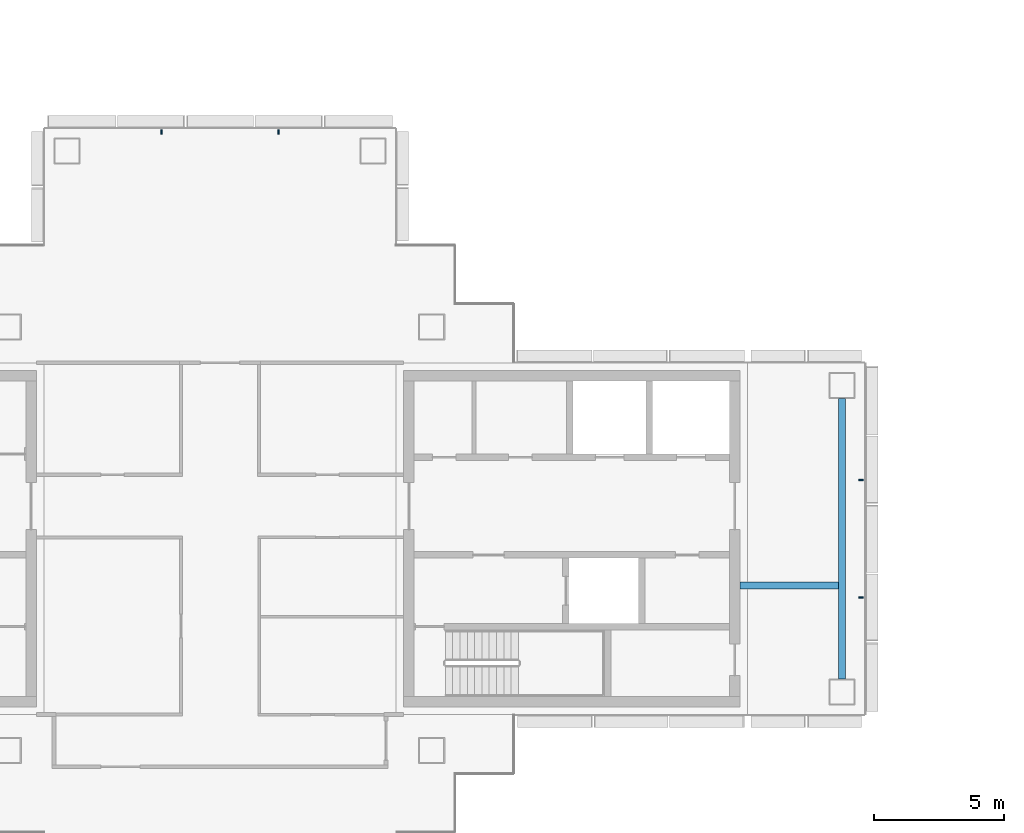
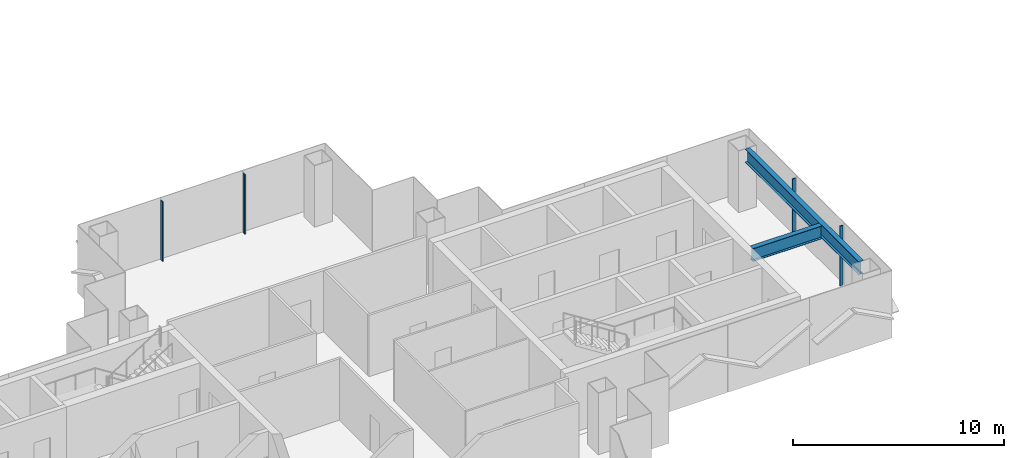
# One storey, part 4 of 17: 4 members, 2 beams, 2 elements without a shape of their own.
"""IFC4 building model written with IfcOpenShell, lengths in metres."""

from ifc_helpers import new_model, si_unit, direction, frame, origin, origin_2d, place, context, subcontext, project, spatial, rectangle, i_section, extrude, material, layer, layer_set, material_profile, profile_set, type_object, element, aggregate, save


model = new_model("IFC4")

# Units and contexts
model_context = context("Model", 3, precision=1e-05, world=origin(), true_north=direction((0.0, 1.0)))
body_context = subcontext(model_context, "Body", "Model", "MODEL_VIEW")
ifc_project = project(units=[si_unit("LENGTHUNIT", "METRE"), si_unit("AREAUNIT", "SQUARE_METRE"), si_unit("VOLUMEUNIT", "CUBIC_METRE"), si_unit("PLANEANGLEUNIT", "RADIAN"), si_unit("MASSUNIT", "GRAM", prefix="KILO")], contexts=[model_context])

# Site, building, storey
site_placement = place(None, origin())
site = spatial("IfcSite", under=ifc_project, at=site_placement, CompositionType="ELEMENT")
building_placement = place(site_placement, origin())
building = spatial("IfcBuilding", under=site, at=building_placement, Name="Shamsa Quay Exchange Towers", CompositionType="ELEMENT")
storey_placement = place(building_placement, frame((0.0, 0.0, 198.300048828125)))
storey = spatial("IfcBuildingStorey", under=building, at=storey_placement, Name="L47", CompositionType="ELEMENT", Elevation=198.300048828125)

# Curtain wall, members
ifc_material_1 = material(Name="Aluminium EN AW-6063 T6, black anodised", Category="aluminium")
ifc_layer = layer(ifc_material_1, 0.280029296875)
ifc_layer_set = layer_set([ifc_layer], Name="CW-1 UNITISED VISION GLASS")
curtain_wall_type = type_object("IfcCurtainWallType", Name="CW-1 UNITISED VISION GLASS", PredefinedType="NOTDEFINED", material=ifc_layer_set)
curtain_wall_1_placement = place(storey_placement, origin())
curtain_wall_1 = element("IfcCurtainWall", 1, at=curtain_wall_1_placement, inside=storey, type_object=curtain_wall_type, Name="CW1 T1-END-U+ L47", PredefinedType="NOTDEFINED")
ifc_material_profile_1 = material_profile(ifc_material_1, rectangle(XDim=0.179931640625, YDim=0.06005859375, at=origin_2d()), Name="MU60x180")
ifc_profile_set_1 = profile_set([ifc_material_profile_1], Name="Aluminium EN AW-6063 T6, black anodised")
member_type = type_object("IfcMemberType", Name="CW1 MULLION 60x180", PredefinedType="MULLION", material=ifc_profile_set_1)
member_1_placement = place(storey_placement, frame((-9.14990234375, -2.25, 0.0), z_axis=(0.0, 0.0, 1.0), x_axis=(-1.0, 0.0, 0.0)))
member_1 = element("IfcMember", 2, at=member_1_placement, type_object=member_type, Name="CW1 mullion", PredefinedType="MULLION", context=body_context, shape_type="SweptSolid", body=[
    extrude(rectangle(XDim=0.179931640625, YDim=0.06005859375, at=origin_2d()), origin(), (0.0, 0.0, 1.0), 3.449951171875),
])
member_2_placement = place(storey_placement, frame((-9.14990234375, 2.25, 0.0), z_axis=(0.0, 0.0, 1.0), x_axis=(-1.0, 0.0, 0.0)))
member_2 = element("IfcMember", 3, at=member_2_placement, type_object=member_type, Name="CW1 mullion", PredefinedType="MULLION", context=body_context, shape_type="SweptSolid", body=[
    extrude(rectangle(XDim=0.179931640625, YDim=0.06005859375, at=origin_2d()), origin(), (0.0, 0.0, 1.0), 3.449951171875),
])
aggregate(curtain_wall_1, [member_1, member_2])

curtain_wall_2_placement = place(storey_placement, origin())
curtain_wall_2 = element("IfcCurtainWall", 4, at=curtain_wall_2_placement, inside=storey, type_object=curtain_wall_type, Name="CW1 T1-END-V+ L47", PredefinedType="NOTDEFINED")
member_3_placement = place(storey_placement, frame((-31.5, 15.60009765625, 0.0), z_axis=(0.0, 0.0, 1.0), x_axis=(0.0, -1.0, 0.0)))
member_3 = element("IfcMember", 5, at=member_3_placement, type_object=member_type, Name="CW1 mullion", PredefinedType="MULLION", context=body_context, shape_type="SweptSolid", body=[
    extrude(rectangle(XDim=0.179931640625, YDim=0.06005859375, at=origin_2d()), origin(), (0.0, 0.0, 1.0), 3.449951171875),
])
member_4_placement = place(storey_placement, frame((-36.0, 15.60009765625, 0.0), z_axis=(0.0, 0.0, 1.0), x_axis=(0.0, -1.0, 0.0)))
member_4 = element("IfcMember", 6, at=member_4_placement, type_object=member_type, Name="CW1 mullion", PredefinedType="MULLION", context=body_context, shape_type="SweptSolid", body=[
    extrude(rectangle(XDim=0.179931640625, YDim=0.06005859375, at=origin_2d()), origin(), (0.0, 0.0, 1.0), 3.449951171875),
])
aggregate(curtain_wall_2, [member_3, member_4])

# Beams
ifc_material_2 = material(Name="Steel S355", Category="steel")
ifc_material_profile_2 = material_profile(ifc_material_2, i_section(OverallWidth=0.26611328125, OverallDepth=0.7578125, WebThickness=0.013916015625, FlangeThickness=0.019287109375, at=origin_2d()), Name="W30x108")
ifc_profile_set_2 = profile_set([ifc_material_profile_2], Name="Steel S355")
beam_type = type_object("IfcBeamType", Name="End-zone beam W30x108", PredefinedType="BEAM", material=ifc_profile_set_2)
beam_1_placement = place(storey_placement, frame((-9.875, -5.375, 3.171142578125), z_axis=(0.0, 1.0, 0.0), x_axis=(-1.0, 0.0, 0.0)))
element("IfcBeam", 7, at=beam_1_placement, inside=storey, type_object=beam_type, Name="End beam T1 U+ end zone L47", PredefinedType="BEAM", context=body_context, shape_type="SweptSolid", body=[
    extrude(i_section(OverallWidth=0.26611328125, OverallDepth=0.7578125, WebThickness=0.013916015625, FlangeThickness=0.019287109375, at=origin_2d()), origin(), (0.0, 0.0, 1.0), 10.75),
])
beam_2_placement = place(storey_placement, frame((-13.800048828125, -1.800048828125, 3.171142578125), z_axis=(1.0, 0.0, 0.0), x_axis=(0.0, 1.0, 0.0)))
element("IfcBeam", 8, at=beam_2_placement, inside=storey, type_object=beam_type, Name="Spine beam T1 U+ end zone L47", PredefinedType="BEAM", context=body_context, shape_type="SweptSolid", body=[
    extrude(i_section(OverallWidth=0.26611328125, OverallDepth=0.7578125, WebThickness=0.013916015625, FlangeThickness=0.019287109375, at=origin_2d()), origin(), (0.0, 0.0, 1.0), 3.7919921875),
])

save(model, "model.ifc")
